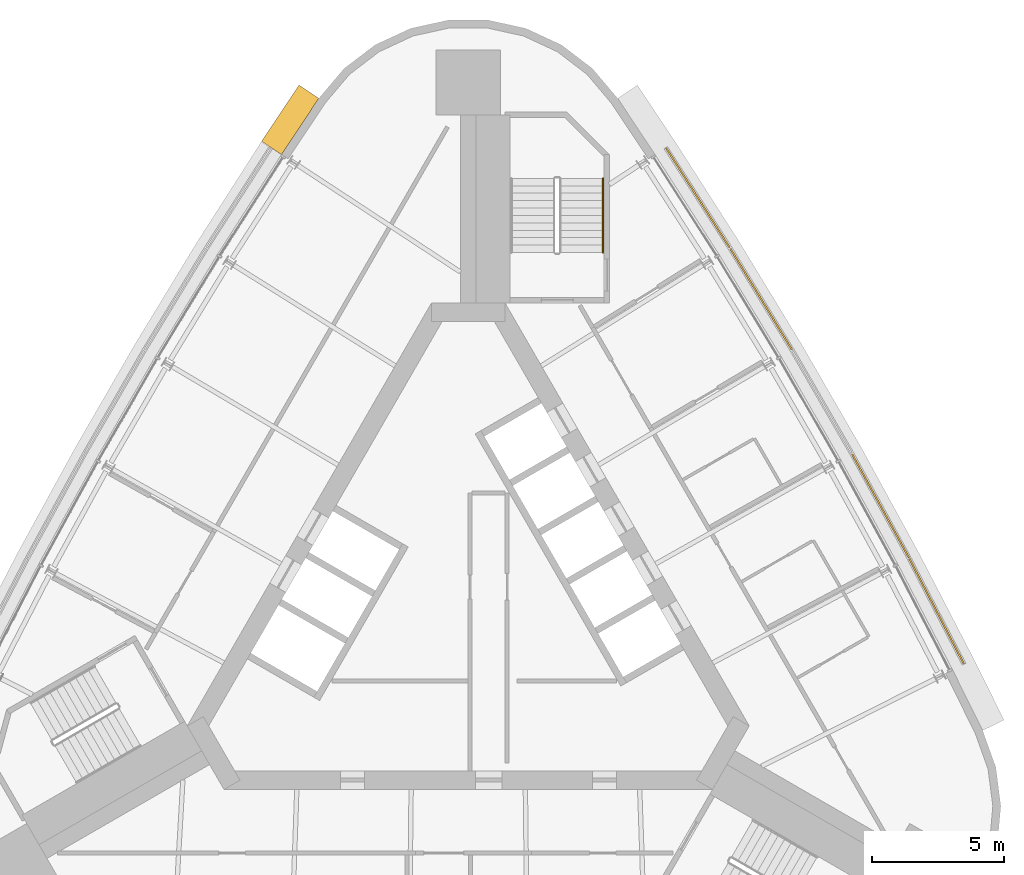
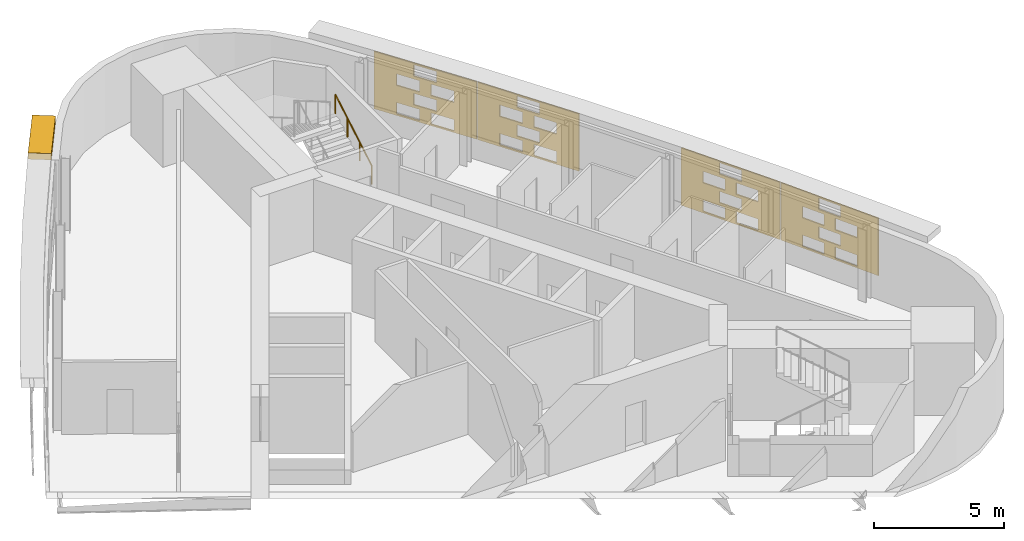
# One storey, part 10 of 10: 5 shading devices, 1 railing.
"""IFC4 building model written with IfcOpenShell, lengths in metres."""

from ifc_helpers import new_model, si_unit, direction, frame, origin, origin_2d, place, context, subcontext, project, spatial, polyline, circle, outline, extrude, material, material_profile, profile_set, type_object, element, save


model = new_model("IFC4")

# Units and contexts
model_context = context("Model", 3, precision=1e-05, world=origin(), true_north=direction((0.0, 1.0)))
body_context = subcontext(model_context, "Body", "Model", "MODEL_VIEW")
ifc_project = project(units=[si_unit("LENGTHUNIT", "METRE"), si_unit("AREAUNIT", "SQUARE_METRE"), si_unit("VOLUMEUNIT", "CUBIC_METRE"), si_unit("PLANEANGLEUNIT", "RADIAN"), si_unit("MASSUNIT", "GRAM", prefix="KILO")], contexts=[model_context])

# Site, building, storey
site_placement = place(None, origin())
site = spatial("IfcSite", under=ifc_project, at=site_placement, CompositionType="ELEMENT")
building_placement = place(site_placement, origin())
building = spatial("IfcBuilding", under=site, at=building_placement, Name="Noor Cloister Tower", CompositionType="ELEMENT")
storey_placement = place(building_placement, frame((0.0, 0.0, 243.60009765625)))
storey = spatial("IfcBuildingStorey", under=building, at=storey_placement, Name="L63", CompositionType="ELEMENT", Elevation=243.60009765625)

# Shading devices
ifc_material_1 = material(Name="Limestone", Category="masonry")
ifc_material_profile = material_profile(ifc_material_1, outline(polyline([(-2.22998046875, -1.35009765625), (2.22998046875, -1.35009765625), (2.22998046875, 1.35009765625), (-2.22998046875, 1.35009765625), (-2.22998046875, -1.35009765625)]), holes=[polyline([(-1.25, -1.282470703125), (-0.25, -1.282470703125), (-0.25, -0.742431640625), (-1.25, -0.742431640625), (-1.25, -1.282470703125)]), polyline([(0.25, -1.282470703125), (1.25, -1.282470703125), (1.25, -0.742431640625), (0.25, -0.742431640625), (0.25, -1.282470703125)]), polyline([(-0.5, -0.607421875), (0.5, -0.607421875), (0.5, -0.0673828125), (-0.5, -0.0673828125), (-0.5, -0.607421875)]), polyline([(-1.25, 0.0673828125), (-0.25, 0.0673828125), (-0.25, 0.607421875), (-1.25, 0.607421875), (-1.25, 0.0673828125)]), polyline([(0.25, 0.0673828125), (1.25, 0.0673828125), (1.25, 0.607421875), (0.25, 0.607421875), (0.25, 0.0673828125)]), polyline([(-0.5, 0.742431640625), (0.5, 0.742431640625), (0.5, 1.282470703125), (-0.5, 1.282470703125), (-0.5, 0.742431640625)])]), Name="Woven screen 35 percent open")
ifc_profile_set = profile_set([ifc_material_profile], Name="Limestone")
shading_device_type_1 = type_object("IfcShadingDeviceType", Name="SCREEN woven limestone 35 percent open", PredefinedType="USERDEFINED", material=ifc_profile_set)
shading_device_1_placement = place(storey_placement, frame((17.666259765625, -0.212158203125, 1.849853515625), z_axis=(0.887816162103, 0.460198285861, 0.0), x_axis=(-0.460198285861, 0.887816162103, 0.0)))
element("IfcShadingDevice", 1, at=shading_device_1_placement, inside=storey, type_object=shading_device_type_1, Name="SCREEN L63 1", ObjectType="SCREEN", PredefinedType="USERDEFINED", context=body_context, shape_type="SweptSolid", body=[
    extrude(outline(polyline([(-2.22998046875, -1.35009765625), (2.22998046875, -1.35009765625), (2.22998046875, 1.35009765625), (-2.22998046875, 1.35009765625), (-2.22998046875, -1.35009765625)]), holes=[polyline([(-1.25, -1.282470703125), (-0.25, -1.282470703125), (-0.25, -0.742431640625), (-1.25, -0.742431640625), (-1.25, -1.282470703125)]), polyline([(0.25, -1.282470703125), (1.25, -1.282470703125), (1.25, -0.742431640625), (0.25, -0.742431640625), (0.25, -1.282470703125)]), polyline([(-0.5, -0.607421875), (0.5, -0.607421875), (0.5, -0.0673828125), (-0.5, -0.0673828125), (-0.5, -0.607421875)]), polyline([(-1.25, 0.0673828125), (-0.25, 0.0673828125), (-0.25, 0.607421875), (-1.25, 0.607421875), (-1.25, 0.0673828125)]), polyline([(0.25, 0.0673828125), (1.25, 0.0673828125), (1.25, 0.607421875), (0.25, 0.607421875), (0.25, 0.0673828125)]), polyline([(-0.5, 0.742431640625), (0.5, 0.742431640625), (0.5, 1.282470703125), (-0.5, 1.282470703125), (-0.5, 0.742431640625)])]), origin(), (0.0, 0.0, 1.0), 0.06005859375),
])
shading_device_2_placement = place(storey_placement, frame((15.546875, 3.768798828125, 1.849853515625), z_axis=(0.876645997325, 0.481135942718, 0.0), x_axis=(-0.481135942718, 0.876645997325, 0.0)))
element("IfcShadingDevice", 2, at=shading_device_2_placement, inside=storey, type_object=shading_device_type_1, Name="SCREEN L63 2", ObjectType="SCREEN", PredefinedType="USERDEFINED", context=body_context, shape_type="SweptSolid", body=[
    extrude(outline(polyline([(-2.22998046875, -1.35009765625), (2.22998046875, -1.35009765625), (2.22998046875, 1.35009765625), (-2.22998046875, 1.35009765625), (-2.22998046875, -1.35009765625)]), holes=[polyline([(-1.25, -1.282470703125), (-0.25, -1.282470703125), (-0.25, -0.742431640625), (-1.25, -0.742431640625), (-1.25, -1.282470703125)]), polyline([(0.25, -1.282470703125), (1.25, -1.282470703125), (1.25, -0.742431640625), (0.25, -0.742431640625), (0.25, -1.282470703125)]), polyline([(-0.5, -0.607421875), (0.5, -0.607421875), (0.5, -0.0673828125), (-0.5, -0.0673828125), (-0.5, -0.607421875)]), polyline([(-1.25, 0.0673828125), (-0.25, 0.0673828125), (-0.25, 0.607421875), (-1.25, 0.607421875), (-1.25, 0.0673828125)]), polyline([(0.25, 0.0673828125), (1.25, 0.0673828125), (1.25, 0.607421875), (0.25, 0.607421875), (0.25, 0.0673828125)]), polyline([(-0.5, 0.742431640625), (0.5, 0.742431640625), (0.5, 1.282470703125), (-0.5, 1.282470703125), (-0.5, 0.742431640625)])]), origin(), (0.0, 0.0, 1.0), 0.059814453125),
])
for number, where, z_axis, x_axis, name in (
    (3, (11.037109375, 11.57958984375, 1.849853515625), (0.853884327381, 0.520462828118, 0.0), (-0.520462828118, 0.853884327381, 0.0), "SCREEN L63 4"),
    (4, (8.649169921875, 15.405517578125, 1.849853515625), (0.8431579539, 0.537665941617, 0.0), (-0.537665941617, 0.8431579539, 0.0), "SCREEN L63 5"),
):
    element("IfcShadingDevice", number, at=place(storey_placement, frame(where, z_axis=z_axis, x_axis=x_axis)), inside=storey, type_object=shading_device_type_1, Name=name, ObjectType="SCREEN", PredefinedType="USERDEFINED", context=body_context, shape_type="SweptSolid", body=[
        extrude(outline(polyline([(-2.22998046875, -1.35009765625), (2.22998046875, -1.35009765625), (2.22998046875, 1.35009765625), (-2.22998046875, 1.35009765625), (-2.22998046875, -1.35009765625)]), holes=[polyline([(-1.25, -1.282470703125), (-0.25, -1.282470703125), (-0.25, -0.742431640625), (-1.25, -0.742431640625), (-1.25, -1.282470703125)]), polyline([(0.25, -1.282470703125), (1.25, -1.282470703125), (1.25, -0.742431640625), (0.25, -0.742431640625), (0.25, -1.282470703125)]), polyline([(-0.5, -0.607421875), (0.5, -0.607421875), (0.5, -0.0673828125), (-0.5, -0.0673828125), (-0.5, -0.607421875)]), polyline([(-1.25, 0.0673828125), (-0.25, 0.0673828125), (-0.25, 0.607421875), (-1.25, 0.607421875), (-1.25, 0.0673828125)]), polyline([(0.25, 0.0673828125), (1.25, 0.0673828125), (1.25, 0.607421875), (0.25, 0.607421875), (0.25, 0.0673828125)]), polyline([(-0.5, 0.742431640625), (0.5, 0.742431640625), (0.5, 1.282470703125), (-0.5, 1.282470703125), (-0.5, 0.742431640625)])]), origin(), (0.0, 0.0, 1.0), 0.06005859375),
    ])
ifc_material_2 = material(Name="Limestone", Category="masonry")
shading_device_type_2 = type_object("IfcShadingDeviceType", Name="SUNSHADE limestone band 900", PredefinedType="USERDEFINED", material=ifc_material_2)
shading_device_3_placement = place(storey_placement, frame((0.0, 0.0, 3.2998046875)))
element("IfcShadingDevice", 5, at=shading_device_3_placement, inside=storey, type_object=shading_device_type_2, Name="SUNSHADE L63 4", ObjectType="SUNSHADE", PredefinedType="USERDEFINED", context=body_context, shape_type="SweptSolid", body=[
    extrude(outline(polyline([(-6.39306640625, 19.67919921875), (-7.806396484375, 17.556396484375), (-7.05712890625, 17.0576171875), (-5.643798828125, 19.180419921875), (-6.39306640625, 19.67919921875)])), origin(), (0.0, 0.0, 1.0), 0.300048828125),
])

# Railing
ifc_material_3 = material(Name="Stainless steel", Category="steel")
railing_type = type_object("IfcRailingType", Name="Stair handrail 900", PredefinedType="HANDRAIL", material=ifc_material_3)
railing_placement = place(storey_placement, frame((5.085693359375, 13.3564453125, 0.16357421875)))
element("IfcRailing", 6, at=railing_placement, inside=storey, type_object=railing_type, Name="Stair handrail ST1 L63 1", PredefinedType="HANDRAIL", context=body_context, shape_type="SweptSolid", body=[
    extrude(circle(Radius=0.02392578125, at=origin_2d()), frame((0.0, 0.0, 0.8759765625), z_axis=(0.0, 0.863393664356, 0.504530851732), x_axis=(-1.0, 0.0, 0.0)), (0.0, 0.0, 1.0), 3.2431640625),
    extrude(circle(Radius=0.02099609375, at=origin_2d()), origin(), (0.0, 0.0, 1.0), 0.851806640625),
    extrude(circle(Radius=0.02099609375, at=origin_2d()), frame((0.0, 0.933349609375, 0.54541015625)), (0.0, 0.0, 1.0), 0.851806640625),
    extrude(circle(Radius=0.02099609375, at=origin_2d()), frame((0.0, 1.86669921875, 1.0908203125)), (0.0, 0.0, 1.0), 0.851806640625),
    extrude(circle(Radius=0.02099609375, at=origin_2d()), frame((0.0, 2.800048828125, 1.63623046875)), (0.0, 0.0, 1.0), 0.851806640625),
])

save(model, "model.ifc")
